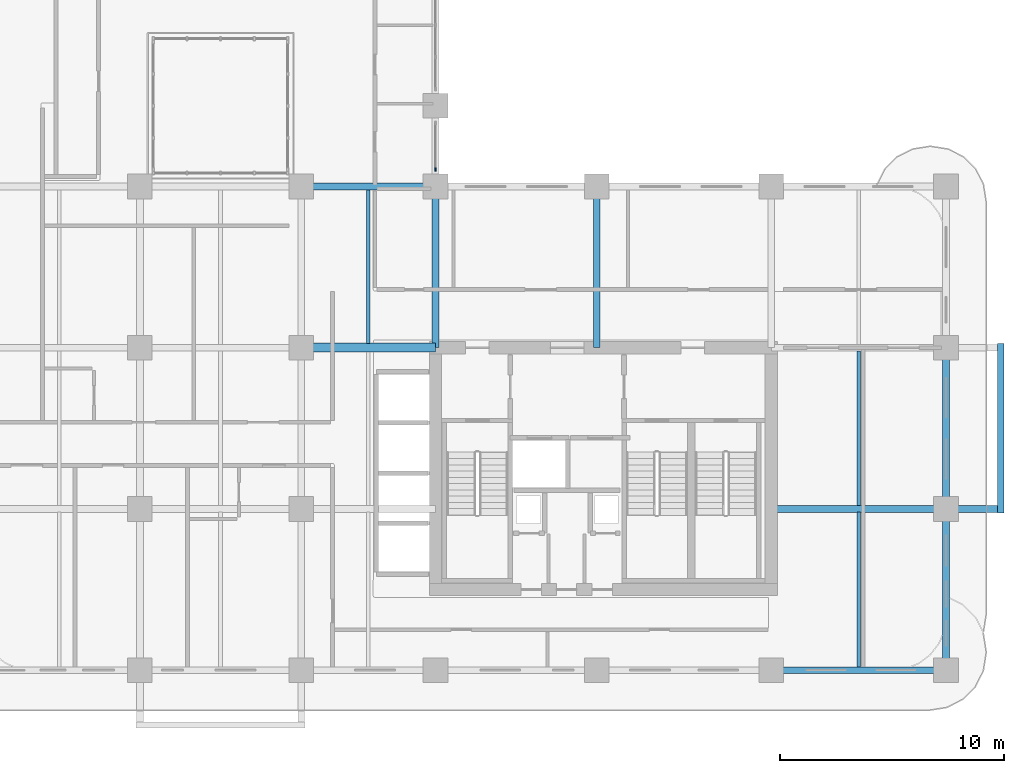
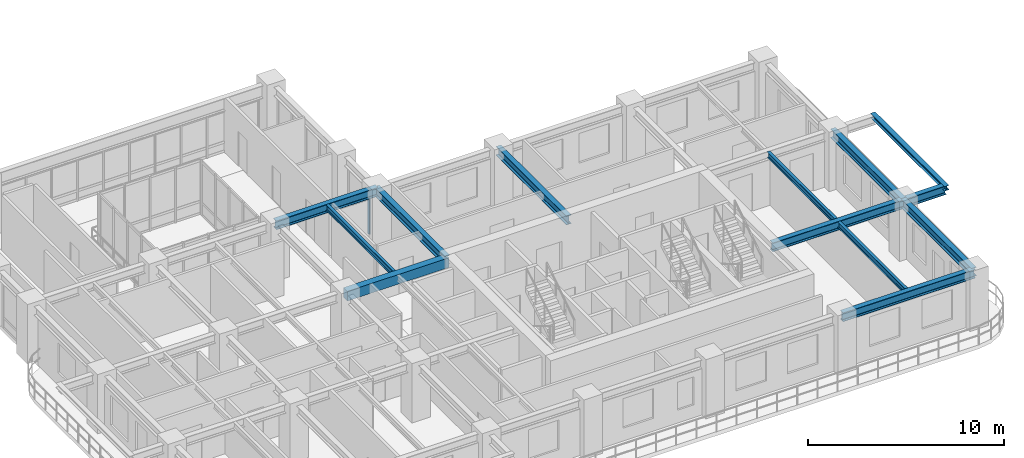
# One storey, part 4 of 22: 12 beams, 1 member, 1 element without a shape of its own.
"""IFC4 building model written with IfcOpenShell, lengths in metres."""

from ifc_helpers import new_model, si_unit, derived_unit, direction, frame, origin, origin_2d, place, context, subcontext, project, spatial, rectangle, i_section, extrude, source, transform, mapped, material, layer, layer_set, material_profile, profile_set, type_object, type_shapes, element, aggregate, save


model = new_model("IFC4")

# Units and contexts
model_context = context("Model", 3, precision=1e-05, world=origin(), true_north=direction((0.0, 1.0)))
body_context = subcontext(model_context, "Body", "Model", "MODEL_VIEW")
ifc_project = project(units=[si_unit("LENGTHUNIT", "METRE"), si_unit("AREAUNIT", "SQUARE_METRE"), si_unit("VOLUMEUNIT", "CUBIC_METRE"), si_unit("PLANEANGLEUNIT", "RADIAN"), si_unit("MASSUNIT", "GRAM", prefix="KILO"), si_unit("THERMODYNAMICTEMPERATUREUNIT", "KELVIN"), si_unit("POWERUNIT", "WATT"), derived_unit("THERMALTRANSMITTANCEUNIT", [(si_unit("POWERUNIT", "WATT"), 1), (si_unit("AREAUNIT", "SQUARE_METRE"), -1), (si_unit("THERMODYNAMICTEMPERATUREUNIT", "KELVIN"), -1)])], contexts=[model_context])

# Site, building, storey
site_placement = place(None, origin())
site = spatial("IfcSite", under=ifc_project, at=site_placement, CompositionType="ELEMENT")
building_placement = place(site_placement, origin())
building = spatial("IfcBuilding", under=site, at=building_placement, Name="Zahravan Archway Hotel and Residences", CompositionType="ELEMENT")
storey_placement = place(building_placement, frame((0.0, 0.0, 95.300048828125)))
storey = spatial("IfcBuildingStorey", under=building, at=storey_placement, Name="L23", CompositionType="ELEMENT", Elevation=95.300048828125)

# Beams
ifc_material_1 = material(Name="Structural Steel S355JR", Category="steel")
ifc_material_profile_1 = material_profile(ifc_material_1, i_section(OverallWidth=0.280029296875, OverallDepth=0.280029296875, WebThickness=0.010498046875, FlangeThickness=0.01806640625, FilletRadius=0.02392578125, at=origin_2d()), Name="HEB 280", Category="steel")
ifc_profile_set_1 = profile_set([ifc_material_profile_1], Name="Structural Steel S355JR")
beam_type_1 = type_object("IfcBeamType", Name="BM-SPN-HEB280", PredefinedType="SPANDREL", material=ifc_profile_set_1)
shared_shape_1 = source(origin(), body_context, "Body", "SweptSolid", [
    extrude(i_section(OverallWidth=0.280029296875, OverallDepth=0.280029296875, WebThickness=0.010498046875, FlangeThickness=0.01806640625, FilletRadius=0.02392578125, at=origin_2d()), origin(), (0.0, 0.0, 1.0), 7.56005859375),
])
type_shapes(beam_type_1, [shared_shape_1])
beam_1_placement = place(storey_placement, frame((60.050048828125, 7.02001953125, 3.31005859375), z_axis=(0.0, 1.0, 0.0), x_axis=(-1.0, 0.0, 0.0)))
element("IfcBeam", 1, at=beam_1_placement, inside=storey, type_object=beam_type_1, Name="L24 EA Balcony Edge Spandrel", PredefinedType="SPANDREL", context=body_context, shape_type="MappedRepresentation", body=[
    mapped(shared_shape_1, transform((0.0, 0.0, 0.0), scale=1.0)),
])
ifc_material_2 = material(Name="Concrete C60/75", Category="concrete")
ifc_material_profile_2 = material_profile(ifc_material_2, rectangle(XDim=0.39990234375, YDim=0.60009765625, at=origin_2d()), Name="RC-LNT-400x600", Category="concrete")
ifc_profile_set_2 = profile_set([ifc_material_profile_2], Name="Concrete C60/75")
beam_type_2 = type_object("IfcBeamType", Name="LNT-RC-400x600", PredefinedType="LINTEL", material=ifc_profile_set_2)
shared_shape_2 = source(origin(), body_context, "Body", "SweptSolid", [
    extrude(rectangle(XDim=0.39990234375, YDim=0.60009765625, at=origin_2d()), origin(), (0.0, 0.0, 1.0), 6.0),
])
type_shapes(beam_type_2, [shared_shape_2])
beam_2_placement = place(storey_placement, frame((28.800048828125, 14.39990234375, 3.14990234375), z_axis=(1.0, 0.0, 0.0), x_axis=(0.0, 1.0, 0.0)))
element("IfcBeam", 2, at=beam_2_placement, inside=storey, type_object=beam_type_2, Name="L23 Core A Coupling Lintel Beam", PredefinedType="LINTEL", context=body_context, shape_type="MappedRepresentation", body=[
    mapped(shared_shape_2, transform((0.0, 0.0, 0.0), scale=1.0)),
])
ifc_material_profile_3 = material_profile(ifc_material_1, i_section(OverallWidth=0.300048828125, OverallDepth=0.550048828125, WebThickness=0.014892578125, FlangeThickness=0.029052734375, FilletRadius=0.027099609375, at=origin_2d()), Name="HEB 550", Category="steel")
ifc_profile_set_3 = profile_set([ifc_material_profile_3], Name="Structural Steel S355JR")
beam_type_3 = type_object("IfcBeamType", Name="BM-PRI-HEB550", PredefinedType="BEAM", material=ifc_profile_set_3)
shared_shape_3 = source(origin(), body_context, "Body", "SweptSolid", [
    extrude(i_section(OverallWidth=0.300048828125, OverallDepth=0.550048828125, WebThickness=0.014892578125, FlangeThickness=0.029052734375, FilletRadius=0.027099609375, at=origin_2d()), origin(), (0.0, 0.0, 1.0), 7.2001953125),
])
type_shapes(beam_type_3, [shared_shape_3])
for number, where, z_axis, x_axis, name in (
    (3, (34.800048828125, 14.39990234375, 3.175048828125), (0.0, 1.0, 0.0), (-1.0, 0.0, 0.0), "L23 Primary Girder NS-45"),
    (4, (42.0, 14.39990234375, 3.175048828125), (0.0, 1.0, 0.0), (-1.0, 0.0, 0.0), "L23 Primary Girder NS-48"),
):
    element("IfcBeam", number, at=place(storey_placement, frame(where, z_axis=z_axis, x_axis=x_axis)), inside=storey, type_object=beam_type_3, Name=name, PredefinedType="BEAM", context=body_context, shape_type="MappedRepresentation", body=[
        mapped(shared_shape_3, transform((0.0, 0.0, 0.0), scale=1.0)),
    ])
shared_shape_4 = source(origin(), body_context, "Body", "SweptSolid", [
    extrude(i_section(OverallWidth=0.300048828125, OverallDepth=0.550048828125, WebThickness=0.014892578125, FlangeThickness=0.029052734375, FilletRadius=0.027099609375, at=origin_2d()), origin(), (0.0, 0.0, 1.0), 7.199951171875),
])
for number, where, z_axis, x_axis, name in (
    (5, (57.60009765625, 0.0, 3.175048828125), (0.0, 1.0, 0.0), (-1.0, 0.0, 0.0), "L23 Primary Girder NS-50"),
    (6, (57.60009765625, 7.199951171875, 3.175048828125), (0.0, 1.0, 0.0), (-1.0, 0.0, 0.0), "L23 Primary Girder NS-51"),
):
    element("IfcBeam", number, at=place(storey_placement, frame(where, z_axis=z_axis, x_axis=x_axis)), inside=storey, type_object=beam_type_3, Name=name, PredefinedType="BEAM", context=body_context, shape_type="MappedRepresentation", body=[
        mapped(shared_shape_4, transform((0.0, 0.0, 0.0), scale=1.0)),
    ])
shared_shape_5 = source(origin(), body_context, "Body", "SweptSolid", [
    extrude(i_section(OverallWidth=0.300048828125, OverallDepth=0.550048828125, WebThickness=0.014892578125, FlangeThickness=0.029052734375, FilletRadius=0.027099609375, at=origin_2d()), origin(), (0.0, 0.0, 1.0), 6.0),
])
beam_3_placement = place(storey_placement, frame((28.800048828125, 21.60009765625, 3.175048828125), z_axis=(1.0, 0.0, 0.0), x_axis=(0.0, 1.0, 0.0)))
element("IfcBeam", 7, at=beam_3_placement, inside=storey, type_object=beam_type_3, Name="L23 Primary Girder EW-16", PredefinedType="BEAM", context=body_context, shape_type="MappedRepresentation", body=[
    mapped(shared_shape_5, transform((0.0, 0.0, 0.0), scale=1.0)),
])
shared_shape_6 = source(origin(), body_context, "Body", "SweptSolid", [
    extrude(i_section(OverallWidth=0.300048828125, OverallDepth=0.550048828125, WebThickness=0.014892578125, FlangeThickness=0.029052734375, FilletRadius=0.027099609375, at=origin_2d()), origin(), (0.0, 0.0, 1.0), 7.800048828125),
])
beam_4_placement = place(storey_placement, frame((49.800048828125, 0.0, 3.175048828125), z_axis=(1.0, 0.0, 0.0), x_axis=(0.0, 1.0, 0.0)))
element("IfcBeam", 8, at=beam_4_placement, inside=storey, type_object=beam_type_3, Name="L23 Primary Girder EW-06", PredefinedType="BEAM", context=body_context, shape_type="MappedRepresentation", body=[
    mapped(shared_shape_6, transform((0.0, 0.0, 0.0), scale=1.0)),
])
shared_shape_7 = source(origin(), body_context, "Body", "SweptSolid", [
    extrude(i_section(OverallWidth=0.300048828125, OverallDepth=0.550048828125, WebThickness=0.014892578125, FlangeThickness=0.029052734375, FilletRadius=0.027099609375, at=origin_2d()), origin(), (0.0, 0.0, 1.0), 10.25),
])
beam_5_placement = place(storey_placement, frame((49.800048828125, 7.199951171875, 3.175048828125), z_axis=(1.0, 0.0, 0.0), x_axis=(0.0, 1.0, 0.0)))
element("IfcBeam", 9, at=beam_5_placement, inside=storey, type_object=beam_type_3, Name="L23 Primary Girder EW-10", PredefinedType="BEAM", context=body_context, shape_type="MappedRepresentation", body=[
    mapped(shared_shape_7, transform((0.0, 0.0, 0.0), scale=1.0)),
])
ifc_material_profile_4 = material_profile(ifc_material_1, i_section(OverallWidth=0.169921875, OverallDepth=0.360107421875, WebThickness=0.008056640625, FlangeThickness=0.0126953125, FilletRadius=0.01806640625, at=origin_2d()), Name="IPE 360", Category="steel")
ifc_profile_set_4 = profile_set([ifc_material_profile_4], Name="Structural Steel S355JR")
beam_type_4 = type_object("IfcBeamType", Name="BM-JST-IPE360", PredefinedType="JOIST", material=ifc_profile_set_4)
shared_shape_8 = source(origin(), body_context, "Body", "SweptSolid", [
    extrude(i_section(OverallWidth=0.169921875, OverallDepth=0.360107421875, WebThickness=0.008056640625, FlangeThickness=0.0126953125, FilletRadius=0.01806640625, at=origin_2d()), origin(), (0.0, 0.0, 1.0), 6.904052734375),
])
type_shapes(beam_type_4, [shared_shape_8])
for number, where, z_axis, x_axis, name in (
    (10, (53.699951171875, 0.14794921875, 3.27001953125), (0.0, 1.0, 0.0), (-1.0, 0.0, 0.0), "L23 Composite Floor Joist 04"),
    (11, (53.699951171875, 7.347900390625, 3.27001953125), (0.0, 1.0, 0.0), (-1.0, 0.0, 0.0), "L23 Composite Floor Joist 08"),
):
    element("IfcBeam", number, at=place(storey_placement, frame(where, z_axis=z_axis, x_axis=x_axis)), inside=storey, type_object=beam_type_4, Name=name, PredefinedType="JOIST", context=body_context, shape_type="MappedRepresentation", body=[
        mapped(shared_shape_8, transform((0.0, 0.0, 0.0), scale=1.0)),
    ])
shared_shape_9 = source(origin(), body_context, "Body", "SweptSolid", [
    extrude(i_section(OverallWidth=0.169921875, OverallDepth=0.360107421875, WebThickness=0.008056640625, FlangeThickness=0.0126953125, FilletRadius=0.01806640625, at=origin_2d()), origin(), (0.0, 0.0, 1.0), 6.85400390625),
])
beam_6_placement = place(storey_placement, frame((31.800048828125, 14.597900390625, 3.27001953125), z_axis=(0.0, 1.0, 0.0), x_axis=(-1.0, 0.0, 0.0)))
element("IfcBeam", 12, at=beam_6_placement, inside=storey, type_object=beam_type_4, Name="L23 Composite Floor Joist 09", PredefinedType="JOIST", context=body_context, shape_type="MappedRepresentation", body=[
    mapped(shared_shape_9, transform((0.0, 0.0, 0.0), scale=1.0)),
])

# Curtain wall, member
ifc_material_3 = material(Name="Bronze-Anodized Unitised Aluminium & Low-E Glass", Category="aluminium")
ifc_layer = layer(ifc_material_3, 0.179931640625, Name="Bronze-Anodized Unitised Aluminium & Low-E Glass", Category="aluminium")
ifc_layer_set = layer_set([ifc_layer], Name="Bronze-Anodized Unitised Aluminium & Low-E Glass")
curtain_wall_type = type_object("IfcCurtainWallType", Name="CW-ATR-GLAZ", PredefinedType="NOTDEFINED", material=ifc_layer_set)
curtain_wall_placement = place(storey_placement, origin())
curtain_wall = element("IfcCurtainWall", 13, at=curtain_wall_placement, inside=storey, type_object=curtain_wall_type, Name="L23 Curtain Wall CW-L23-HNG-E-1", PredefinedType="NOTDEFINED")
ifc_material_4 = material(Name="Bronze-Anodized Extruded Aluminium", Category="aluminium")
ifc_material_profile_5 = material_profile(ifc_material_4, rectangle(XDim=0.080078125, YDim=0.159912109375, at=origin_2d()), Name="MUL 80x160", Category="aluminium")
ifc_profile_set_5 = profile_set([ifc_material_profile_5], Name="Bronze-Anodized Extruded Aluminium")
member_type = type_object("IfcMemberType", Name="CWM-MUL-160", PredefinedType="MULLION", material=ifc_profile_set_5)
shared_shape_10 = source(origin(), body_context, "Body", "SweptSolid", [
    extrude(rectangle(XDim=0.080078125, YDim=0.159912109375, at=origin_2d()), origin(), (0.0, 0.0, 1.0), 2.885009765625),
])
member_placement = place(storey_placement, frame((34.800048828125, 22.360107421875, 0.0), z_axis=(0.0, 0.0, 1.0), x_axis=(1.0, 0.0, 0.0)))
member = element("IfcMember", 14, at=member_placement, type_object=member_type, Name="CW-L23-HNG-E-1 Mullion 0", PredefinedType="MULLION", context=body_context, shape_type="MappedRepresentation", body=[
    mapped(shared_shape_10, transform((0.0, 0.0, 0.0), scale=1.0)),
])
aggregate(curtain_wall, [member])

save(model, "model.ifc")
